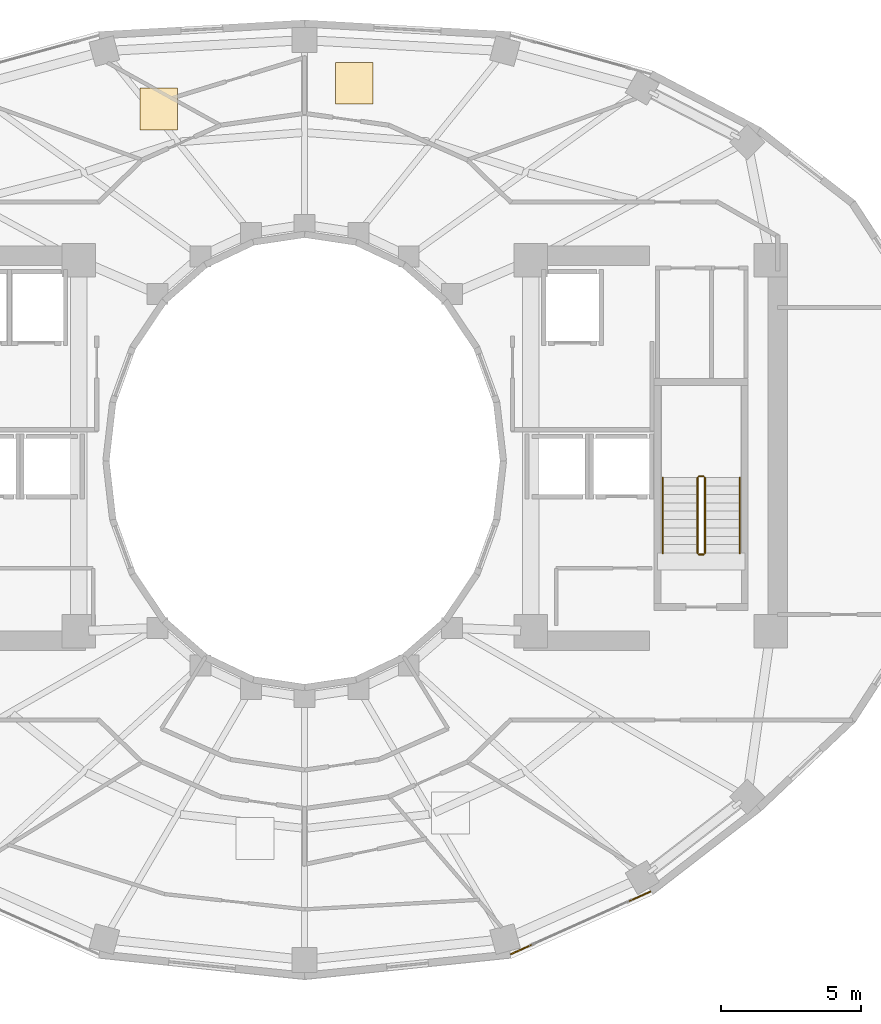
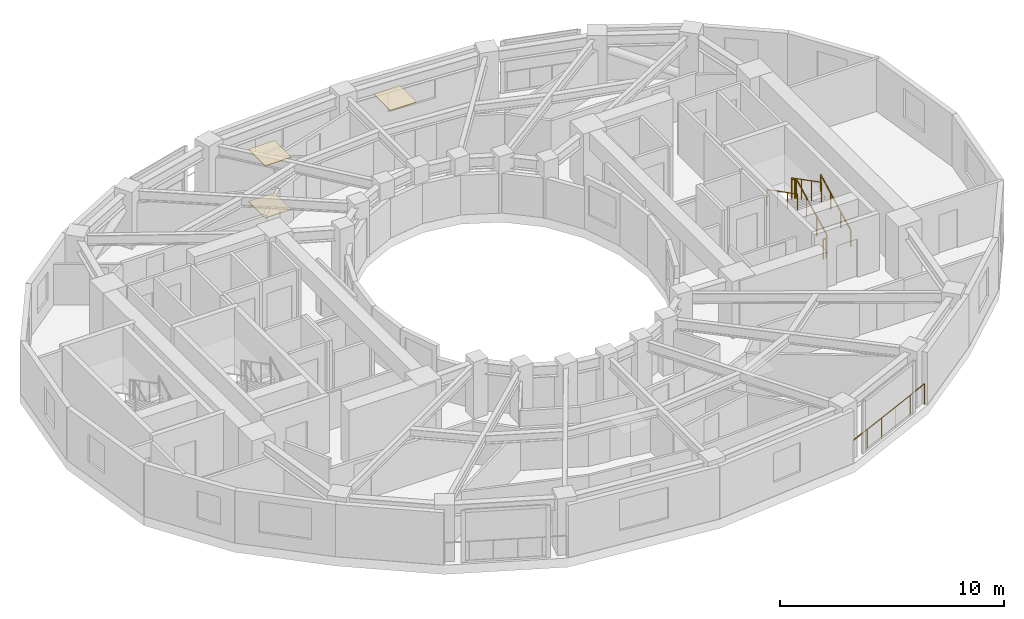
# One storey, part 16 of 17: 7 railings, 3 coverings.
"""IFC4 building model written with IfcOpenShell, lengths in metres."""

import ifcopenshell
import ifcopenshell.guid

model = None  # the IFC model being written
_history = None  # IfcOwnerHistory: only IFC2X3 demands one
_inside = {}  # id of a spatial element -> (the spatial element, [elements in it])
_under = {}  # id of a project, library or spatial element -> (it, [spatial elements below it])
_declared = {}  # id of a project -> (the project, [libraries it declares])
_typed = {}  # id of a type object -> (the type object, [elements of that type])
_made_of = {}  # id of a material, layer set ... -> (it, [elements and type objects made of it])


def new_model(schema):
    """Start an empty IFC model of exactly this schema.

    Asked for "IFC4X3", IfcOpenShell would pick the latest addendum, in which some entities
    have other attributes; the version numbers below select the first issue.
    IFC2X3 requires an IfcOwnerHistory on every rooted entity: one is made here for all.
    """
    global model, _history
    if schema == "IFC4X3":
        model = ifcopenshell.file(schema_version=(4, 3, 0, 0))
    else:
        model = ifcopenshell.file(schema=schema)
    _inside.clear()
    _under.clear()
    _declared.clear()
    _typed.clear()
    _made_of.clear()
    _history = None
    if model.schema == "IFC2X3":
        org = make("IfcOrganization", Name="unknown")
        user = make(
            "IfcPersonAndOrganization",
            ThePerson=make("IfcPerson", FamilyName="unknown"),
            TheOrganization=org,
        )
        app = make(
            "IfcApplication",
            ApplicationDeveloper=org,
            Version="unknown",
            ApplicationFullName="unknown",
            ApplicationIdentifier="unknown",
        )
        _history = make(
            "IfcOwnerHistory",
            OwningUser=user,
            OwningApplication=app,
            ChangeAction="ADDED",
            CreationDate=0,
        )
    return model


def make(cls, **values):
    """One entity of the class cls with the attributes given. An attribute that is None is left unset."""
    return model.create_entity(
        cls, **{name: value for name, value in values.items() if value is not None}
    )


def rooted(cls, **values):
    """An entity with a GlobalId (a new one), such as an element, a storey or a relation."""
    return make(cls, GlobalId=ifcopenshell.guid.new(), OwnerHistory=_history, **values)


def si_unit(unit_type, name, prefix=None):
    """IfcSIUnit, for example si_unit("LENGTHUNIT", "METRE", prefix="MILLI")."""
    return make("IfcSIUnit", UnitType=unit_type, Prefix=prefix, Name=name)


def assignment(units):
    """IfcUnitAssignment: the units of a project."""
    return None if units is None else make("IfcUnitAssignment", Units=units)


def point(xyz):
    """IfcCartesianPoint."""
    return None if xyz is None else make("IfcCartesianPoint", Coordinates=xyz)


def direction(xyz):
    """IfcDirection."""
    return None if xyz is None else make("IfcDirection", DirectionRatios=xyz)


def frame(location, z_axis=None, x_axis=None):
    """IfcAxis2Placement3D, a coordinate frame: its origin and axes. An axis left out is left unset."""
    return make(
        "IfcAxis2Placement3D",
        Location=point(location),
        Axis=direction(z_axis),
        RefDirection=direction(x_axis),
    )


def frame_2d(location, x_axis=None):
    """IfcAxis2Placement2D, a coordinate frame in the plane: its origin and x axis."""
    return make(
        "IfcAxis2Placement2D", Location=point(location), RefDirection=direction(x_axis)
    )


def origin():
    """The frame at (0, 0, 0) with its axes left unset."""
    return frame((0.0, 0.0, 0.0))


def origin_2d():
    """The frame at (0, 0) in the plane with its x axis left unset."""
    return frame_2d((0.0, 0.0))


def place(relative_to, where):
    """IfcLocalPlacement: puts the frame where relative to a parent placement (None: the world)."""
    return make(
        "IfcLocalPlacement", PlacementRelTo=relative_to, RelativePlacement=where
    )


def context(
    kind, dimensions, precision=None, world=None, true_north=None, identifier=None
):
    """IfcGeometricRepresentationContext, for example the 3D "Model" context."""
    return make(
        "IfcGeometricRepresentationContext",
        ContextIdentifier=identifier,
        ContextType=kind,
        CoordinateSpaceDimension=dimensions,
        Precision=precision,
        WorldCoordinateSystem=world,
        TrueNorth=true_north,
    )


def subcontext(parent, identifier, kind, view, scale=None):
    """IfcGeometricRepresentationSubContext, for example "Body" below "Model"."""
    return make(
        "IfcGeometricRepresentationSubContext",
        ContextIdentifier=identifier,
        ContextType=kind,
        ParentContext=parent,
        TargetScale=scale,
        TargetView=view,
    )


def project(units=None, contexts=None):
    """IfcProject with its units and contexts."""
    return rooted(
        "IfcProject",
        Name="project",
        RepresentationContexts=contexts,
        UnitsInContext=assignment(units),
    )


def spatial(cls, under=None, at=None, **own):
    """A site, building, storey or space (cls), placed at a placement, below another one or the project."""
    s = rooted(cls, ObjectPlacement=at, **own)
    if under is not None:
        _under.setdefault(under.id(), (under, []))[1].append(s)
    return s


def polyline(points):
    """IfcPolyline through the points."""
    return make("IfcPolyline", Points=[point(p) for p in points])


def profile(cls, at=None, kind="AREA", **sizes):
    """A parametric profile (cls). Its sizes go by their IFC names, for example OverallWidth=200.0."""
    return make(cls, ProfileType=kind, Position=at, **sizes)


def circle(**sizes):
    """IfcCircleProfileDef."""
    return profile("IfcCircleProfileDef", **sizes)


def outline(outer, holes=None, kind="AREA"):
    """IfcArbitraryClosedProfileDef: a profile drawn as a closed curve; with holes, ...WithVoids."""
    if holes is None:
        return make("IfcArbitraryClosedProfileDef", ProfileType=kind, OuterCurve=outer)
    return make(
        "IfcArbitraryProfileDefWithVoids",
        ProfileType=kind,
        OuterCurve=outer,
        InnerCurves=holes,
    )


def extrude(swept, where, along, depth):
    """IfcExtrudedAreaSolid: the profile swept, set in the frame where, extruded along a direction by depth."""
    return make(
        "IfcExtrudedAreaSolid",
        SweptArea=swept,
        Position=where,
        ExtrudedDirection=direction(along),
        Depth=depth,
    )


def shape(context_of_items, identifier, shape_type, items):
    """IfcShapeRepresentation: the items that make up one representation, for example the "Body"."""
    return make(
        "IfcShapeRepresentation",
        ContextOfItems=context_of_items,
        RepresentationIdentifier=identifier,
        RepresentationType=shape_type,
        Items=items,
    )


def material(Name=None, Category=None):
    """IfcMaterial."""
    return make("IfcMaterial", Name=Name, Category=Category)


def layer(
    of_material, thickness, ventilated=None, Name=None, Category=None, Priority=None
):
    """IfcMaterialLayer: one layer of a wall or slab, of a material (None: an air gap)."""
    return make(
        "IfcMaterialLayer",
        Material=of_material,
        LayerThickness=thickness,
        IsVentilated=ventilated,
        Name=Name,
        Category=Category,
        Priority=Priority,
    )


def layer_set(layers, Name=None):
    """IfcMaterialLayerSet."""
    return make("IfcMaterialLayerSet", MaterialLayers=layers, LayerSetName=Name)


def made_of(thing, what):
    """Note that an element or type object is made of a material, layer set ...; save() writes the relation."""
    if what is not None:
        _made_of.setdefault(what.id(), (what, []))[1].append(thing)
    return thing


def type_object(cls, material=None, **own):
    """A type object (cls), such as IfcWallType, which elements share."""
    return made_of(rooted(cls, **own), material)


def element(
    cls,
    number,
    at=None,
    inside=None,
    cuts=None,
    type_object=None,
    material=None,
    context=None,
    identifier="Body",
    shape_type=None,
    held_by="IfcProductDefinitionShape",
    body=None,
    shapes=None,
    **own,
):
    """One element of the class cls, such as IfcWall. Its Tag is "e" and its number.

    at: its placement. inside: the storey or other place that contains it. cuts: it is an
    opening in that element (IfcRelVoidsElement). A single representation is given by context,
    identifier, shape_type and body (its items); several are given by shapes. held_by: the class
    of the entity that holds the representations. save() writes the other relations.
    """
    e = rooted(cls, Tag="e%d" % number, ObjectPlacement=at, **own)
    if body is not None:
        shapes = [shape(context, identifier, shape_type, body)]
    if shapes is not None:
        e.Representation = make(held_by, Representations=shapes)
    if inside is not None:
        _inside.setdefault(inside.id(), (inside, []))[1].append(e)
    if cuts is not None:
        rooted(
            "IfcRelVoidsElement", RelatingBuildingElement=cuts, RelatedOpeningElement=e
        )
    if type_object is not None:
        _typed.setdefault(type_object.id(), (type_object, []))[1].append(e)
    return made_of(e, material)


def aggregate(whole, parts):
    """IfcRelAggregates: a whole, such as a stair, and the parts it consists of."""
    return rooted("IfcRelAggregates", RelatingObject=whole, RelatedObjects=parts)


def save(model, path):
    """Write the relations noted so far, then the file.

    IfcRelAggregates (storeys below a building ...), IfcRelContainedInSpatialStructure (elements
    in a storey), IfcRelDefinesByType, IfcRelAssociatesMaterial and IfcRelDeclares: one each for
    every whole, place, type object, material and project.
    """
    for whole, parts in _under.values():
        aggregate(whole, parts)
    for where, things in _inside.values():
        rooted(
            "IfcRelContainedInSpatialStructure",
            RelatedElements=things,
            RelatingStructure=where,
        )
    for kind, things in _typed.values():
        rooted("IfcRelDefinesByType", RelatedObjects=things, RelatingType=kind)
    for what, things in _made_of.values():
        rooted("IfcRelAssociatesMaterial", RelatedObjects=things, RelatingMaterial=what)
    for by, libraries in _declared.values():
        rooted("IfcRelDeclares", RelatingContext=by, RelatedDefinitions=libraries)
    model.write(path)


model = new_model("IFC4")

# Units and contexts
model_context = context("Model", 3, precision=1e-05, world=origin(), true_north=direction((0.0, 1.0)))
body_context = subcontext(model_context, "Body", "Model", "MODEL_VIEW")
ifc_project = project(units=[si_unit("LENGTHUNIT", "METRE"), si_unit("AREAUNIT", "SQUARE_METRE"), si_unit("VOLUMEUNIT", "CUBIC_METRE"), si_unit("PLANEANGLEUNIT", "RADIAN"), si_unit("MASSUNIT", "GRAM", prefix="KILO")], contexts=[model_context])

# Site, building, storey
site_placement = place(None, origin())
site = spatial("IfcSite", under=ifc_project, at=site_placement, CompositionType="ELEMENT")
building_placement = place(site_placement, origin())
building = spatial("IfcBuilding", under=site, at=building_placement, Name="Solvane Sanctuary Tower", CompositionType="ELEMENT")
storey_placement = place(building_placement, frame((0.0, 0.0, 171.5)))
storey = spatial("IfcBuildingStorey", under=building, at=storey_placement, Name="L52", CompositionType="ELEMENT", Elevation=171.5)

# Coverings
ifc_material_1 = material(Name="Acoustic Gypsum Partition Board")
ifc_layer_1 = layer(ifc_material_1, 0.02490234375, Name="Acoustic Gypsum Partition Board")
ifc_layer_set_1 = layer_set([ifc_layer_1], Name="Acoustic Gypsum Partition Board")
covering_type_1 = type_object("IfcCoveringType", Name="Covering CLG-ACOUST", PredefinedType="CEILING", material=ifc_layer_set_1)
covering_1_placement = place(storey_placement, frame((0.0, 0.0, 2.85009765625)))
element("IfcCovering", 1, at=covering_1_placement, inside=storey, type_object=covering_type_1, Name="L52 Unit Acoustic Ceiling Panel 1", PredefinedType="CEILING", context=body_context, shape_type="SweptSolid", body=[
    extrude(outline(polyline([(33.10693359375, 35.782958984375), (34.45703125, 35.782958984375), (34.45703125, 37.282958984375), (33.10693359375, 37.282958984375), (33.10693359375, 35.782958984375)])), origin(), (0.0, 0.0, 1.0), 0.02978515625),
])
covering_2_placement = place(storey_placement, frame((0.0, 0.0, 2.85009765625)))
element("IfcCovering", 2, at=covering_2_placement, inside=storey, type_object=covering_type_1, Name="L52 Unit Acoustic Ceiling Panel 2", PredefinedType="CEILING", context=body_context, shape_type="SweptSolid", body=[
    extrude(outline(polyline([(26.10107421875, 34.861083984375), (27.450927734375, 34.861083984375), (27.450927734375, 36.361083984375), (26.10107421875, 36.361083984375), (26.10107421875, 34.861083984375)])), origin(), (0.0, 0.0, 1.0), 0.02978515625),
])
ifc_material_2 = material(Name="Ceramic Tile Finish")
ifc_layer_2 = layer(ifc_material_2, 0.030029296875, Name="Ceramic Tile Finish")
ifc_layer_set_2 = layer_set([ifc_layer_2], Name="Ceramic Tile Finish")
covering_type_2 = type_object("IfcCoveringType", Name="Covering FLR-TERRAZZO", PredefinedType="FLOORING", material=ifc_layer_set_2)
covering_3_placement = place(storey_placement, origin())
element("IfcCovering", 3, at=covering_3_placement, inside=storey, type_object=covering_type_2, Name="L52 Unit Terrazzo Inlay 2", PredefinedType="FLOORING", context=body_context, shape_type="SweptSolid", body=[
    extrude(outline(polyline([(26.10107421875, 34.861083984375), (27.450927734375, 34.861083984375), (27.450927734375, 36.361083984375), (26.10107421875, 36.361083984375), (26.10107421875, 34.861083984375)])), origin(), (0.0, 0.0, 1.0), 0.034912109375),
])

# Railings
ifc_material_3 = material(Name="Architectural Stainless Steel 316", Category="steel")
railing_type_1 = type_object("IfcRailingType", Name="Railing GR-BALC-1150", PredefinedType="BALUSTRADE", material=ifc_material_3)
railing_1_placement = place(storey_placement, frame((39.392578125, 5.32763671875, 0.0)))
element("IfcRailing", 4, at=railing_1_placement, inside=storey, type_object=railing_type_1, Name="L52 Curtain-Wall Perimeter Sill Guard 19", PredefinedType="BALUSTRADE", context=body_context, shape_type="SweptSolid", body=[
    extrude(circle(Radius=0.02392578125, at=origin_2d()), frame((0.0, 0.0, 1.1259765625), z_axis=(0.912345036546, 0.409422195649, 0.0), x_axis=(-0.409422195649, 0.912345036546, 0.0)), (0.0, 0.0, 1.0), 5.472900390625),
    extrude(circle(Radius=0.02099609375, at=origin_2d()), origin(), (0.0, 0.0, 1.0), 1.101806640625),
    extrude(circle(Radius=0.02099609375, at=origin_2d()), frame((0.99853515625, 0.4482421875, 0.0)), (0.0, 0.0, 1.0), 1.101806640625),
    extrude(circle(Radius=0.02099609375, at=origin_2d()), frame((1.997314453125, 0.896240234375, 0.0)), (0.0, 0.0, 1.0), 1.101806640625),
    extrude(circle(Radius=0.02099609375, at=origin_2d()), frame((2.995849609375, 1.344482421875, 0.0)), (0.0, 0.0, 1.0), 1.101806640625),
    extrude(circle(Radius=0.02099609375, at=origin_2d()), frame((3.99462890625, 1.79248046875, 0.0)), (0.0, 0.0, 1.0), 1.101806640625),
    extrude(circle(Radius=0.02099609375, at=origin_2d()), frame((4.9931640625, 2.24072265625, 0.0)), (0.0, 0.0, 1.0), 1.101806640625),
])
railing_2_placement = place(storey_placement, frame((46.340087890625, 19.699951171875, 0.155029296875)))
element("IfcRailing", 5, at=railing_2_placement, inside=storey, type_object=railing_type_1, Name="L52 ST-2 stair guard 1", PredefinedType="BALUSTRADE", context=body_context, shape_type="SweptSolid", body=[
    extrude(circle(Radius=0.02392578125, at=origin_2d()), frame((0.0, 0.0, 1.076171875), z_axis=(0.0, 0.888419900624, 0.459031676658), x_axis=(-1.0, 0.0, 0.0)), (0.0, 0.0, 1.0), 3.0390625),
    extrude(circle(Radius=0.02099609375, at=origin_2d()), origin(), (0.0, 0.0, 1.0), 1.052001953125),
    extrude(circle(Radius=0.02099609375, at=origin_2d()), frame((0.0, 0.89990234375, 0.465087890625)), (0.0, 0.0, 1.0), 1.052001953125),
    extrude(circle(Radius=0.02099609375, at=origin_2d()), frame((0.0, 1.800048828125, 0.929931640625)), (0.0, 0.0, 1.0), 1.052001953125),
    extrude(circle(Radius=0.02099609375, at=origin_2d()), frame((0.0, 2.699951171875, 1.39501953125)), (0.0, 0.0, 1.0), 1.052001953125),
])
railing_3_placement = place(storey_placement, frame((46.2900390625, 22.449951171875, 1.550048828125)))
element("IfcRailing", 6, at=railing_3_placement, inside=storey, type_object=railing_type_1, Name="L52 ST-2 stair guard 2", PredefinedType="BALUSTRADE", context=body_context, shape_type="SweptSolid", body=[
    extrude(circle(Radius=0.02392578125, at=origin_2d()), frame((0.0, 0.0, 1.076171875), z_axis=(-1.0, 0.0, 0.0), x_axis=(0.0, -1.0, 0.0)), (0.0, 0.0, 1.0), 0.16015625),
    extrude(circle(Radius=0.02099609375, at=origin_2d()), origin(), (0.0, 0.0, 1.0), 1.052001953125),
    extrude(circle(Radius=0.02099609375, at=origin_2d()), frame((-0.16015625, 0.0, 0.0)), (0.0, 0.0, 1.0), 1.052001953125),
])
railing_4_placement = place(storey_placement, frame((46.080078125, 22.39990234375, 1.705078125)))
element("IfcRailing", 7, at=railing_4_placement, inside=storey, type_object=railing_type_1, Name="L52 ST-2 stair guard 3", PredefinedType="BALUSTRADE", context=body_context, shape_type="SweptSolid", body=[
    extrude(circle(Radius=0.02392578125, at=origin_2d()), frame((0.0, 0.0, 1.076171875), z_axis=(0.0, -0.888419900624, 0.459031676658), x_axis=(1.0, 0.0, 0.0)), (0.0, 0.0, 1.0), 3.0390625),
    extrude(circle(Radius=0.02099609375, at=origin_2d()), origin(), (0.0, 0.0, 1.0), 1.052001953125),
    extrude(circle(Radius=0.02099609375, at=origin_2d()), frame((0.0, -0.89990234375, 0.465087890625)), (0.0, 0.0, 1.0), 1.052001953125),
    extrude(circle(Radius=0.02099609375, at=origin_2d()), frame((0.0, -1.800048828125, 0.929931640625)), (0.0, 0.0, 1.0), 1.052001953125),
    extrude(circle(Radius=0.02099609375, at=origin_2d()), frame((0.0, -2.699951171875, 1.39501953125)), (0.0, 0.0, 1.0), 1.052001953125),
])
railing_5_placement = place(storey_placement, frame((46.2900390625, 19.64990234375, 0.0)))
element("IfcRailing", 8, at=railing_5_placement, inside=storey, type_object=railing_type_1, Name="L52 ST-2 stair guard 4", PredefinedType="BALUSTRADE", context=body_context, shape_type="SweptSolid", body=[
    extrude(circle(Radius=0.02392578125, at=origin_2d()), frame((0.0, 0.0, 1.076171875), z_axis=(-1.0, 0.0, 0.0), x_axis=(0.0, -1.0, 0.0)), (0.0, 0.0, 1.0), 0.16015625),
    extrude(circle(Radius=0.02099609375, at=origin_2d()), origin(), (0.0, 0.0, 1.0), 1.052001953125),
    extrude(circle(Radius=0.02099609375, at=origin_2d()), frame((-0.16015625, 0.0, 0.0)), (0.0, 0.0, 1.0), 1.052001953125),
])
railing_type_2 = type_object("IfcRailingType", Name="Railing HR-STAIR-920", PredefinedType="HANDRAIL", material=ifc_material_3)
railing_6_placement = place(storey_placement, frame((47.590087890625, 19.699951171875, 0.155029296875)))
element("IfcRailing", 9, at=railing_6_placement, inside=storey, type_object=railing_type_2, Name="L52 ST-2 stair handrail 1", PredefinedType="HANDRAIL", context=body_context, shape_type="SweptSolid", body=[
    extrude(circle(Radius=0.02392578125, at=origin_2d()), frame((0.0, 0.0, 0.8759765625), z_axis=(0.0, 0.888419900624, 0.459031676658), x_axis=(-1.0, 0.0, 0.0)), (0.0, 0.0, 1.0), 3.0390625),
    extrude(circle(Radius=0.02099609375, at=origin_2d()), origin(), (0.0, 0.0, 1.0), 0.851806640625),
    extrude(circle(Radius=0.02099609375, at=origin_2d()), frame((0.0, 0.89990234375, 0.465087890625)), (0.0, 0.0, 1.0), 0.851806640625),
    extrude(circle(Radius=0.02099609375, at=origin_2d()), frame((0.0, 1.800048828125, 0.929931640625)), (0.0, 0.0, 1.0), 0.851806640625),
    extrude(circle(Radius=0.02099609375, at=origin_2d()), frame((0.0, 2.699951171875, 1.39501953125)), (0.0, 0.0, 1.0), 0.851806640625),
])
railing_7_placement = place(storey_placement, frame((44.830078125, 22.39990234375, 1.705078125)))
element("IfcRailing", 10, at=railing_7_placement, inside=storey, type_object=railing_type_2, Name="L52 ST-2 stair handrail 2", PredefinedType="HANDRAIL", context=body_context, shape_type="SweptSolid", body=[
    extrude(circle(Radius=0.02392578125, at=origin_2d()), frame((0.0, 0.0, 0.8759765625), z_axis=(0.0, -0.888419900624, 0.459031676658), x_axis=(1.0, 0.0, 0.0)), (0.0, 0.0, 1.0), 3.0390625),
    extrude(circle(Radius=0.02099609375, at=origin_2d()), origin(), (0.0, 0.0, 1.0), 0.851806640625),
    extrude(circle(Radius=0.02099609375, at=origin_2d()), frame((0.0, -0.89990234375, 0.465087890625)), (0.0, 0.0, 1.0), 0.851806640625),
    extrude(circle(Radius=0.02099609375, at=origin_2d()), frame((0.0, -1.800048828125, 0.929931640625)), (0.0, 0.0, 1.0), 0.851806640625),
    extrude(circle(Radius=0.02099609375, at=origin_2d()), frame((0.0, -2.699951171875, 1.39501953125)), (0.0, 0.0, 1.0), 0.851806640625),
])

save(model, "model.ifc")
